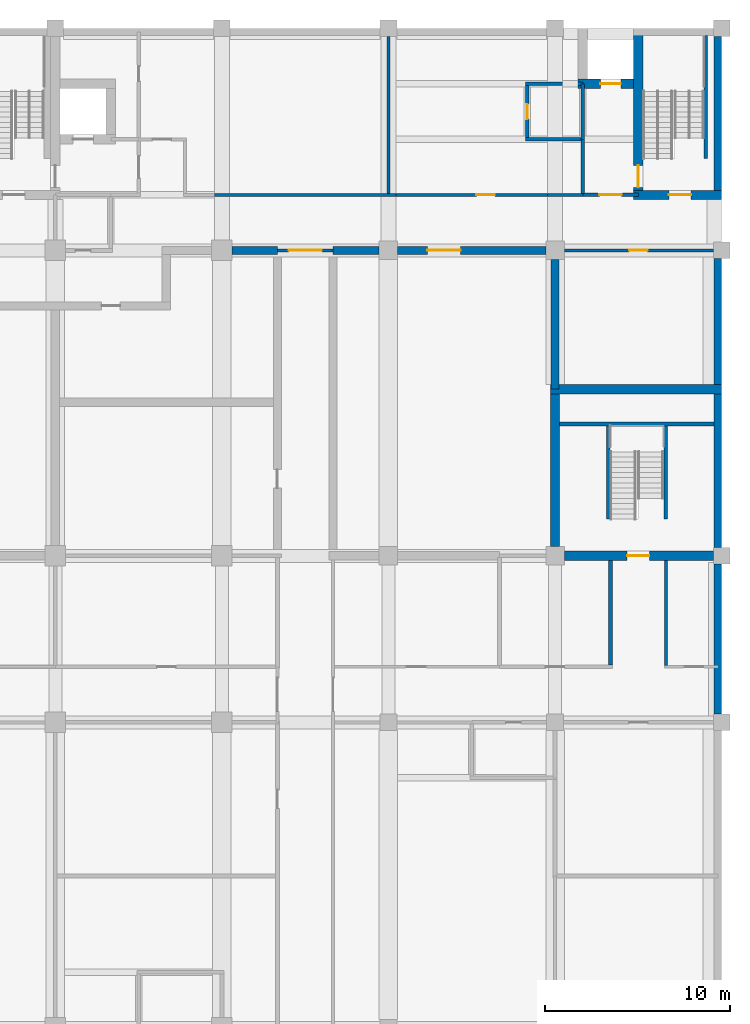
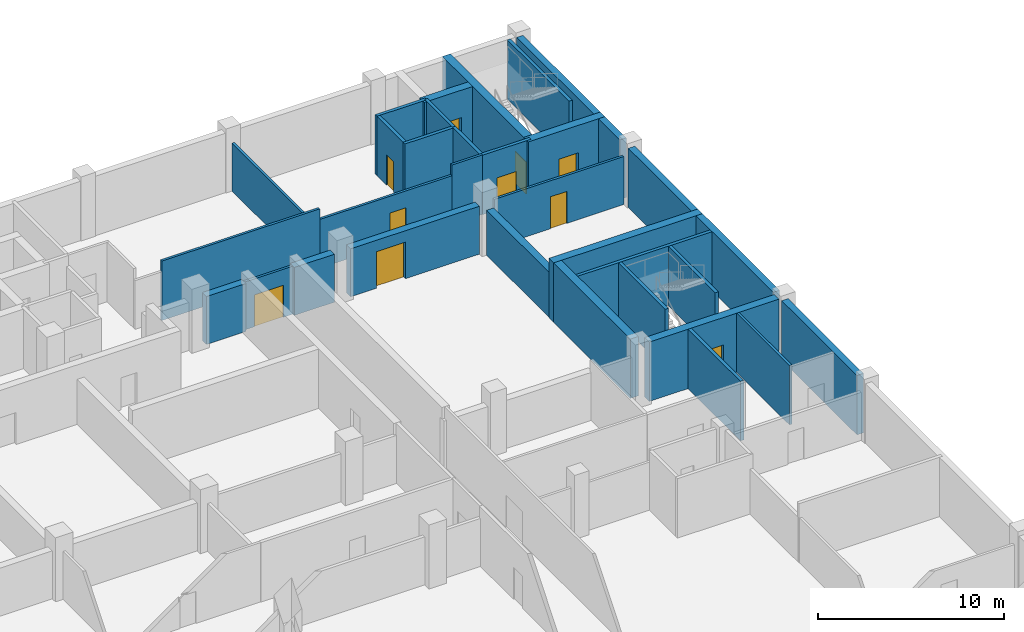
# One storey, part 11 of 16: 31 walls, 10 doors, 10 openings.
"""IFC4 building model written with IfcOpenShell, lengths in metres."""

from ifc_helpers import new_model, si_unit, direction, frame, frame_2d, origin, place, context, subcontext, project, spatial, rectangle, extrude, material, layer, layer_set, type_object, element, fill, save


model = new_model("IFC4")

# Units and contexts
model_context = context("Model", 3, precision=1e-05, world=origin(), true_north=direction((0.0, 1.0)))
body_context = subcontext(model_context, "Body", "Model", "MODEL_VIEW")
ifc_project = project(units=[si_unit("LENGTHUNIT", "METRE"), si_unit("AREAUNIT", "SQUARE_METRE"), si_unit("VOLUMEUNIT", "CUBIC_METRE"), si_unit("PLANEANGLEUNIT", "RADIAN"), si_unit("MASSUNIT", "GRAM", prefix="KILO")], contexts=[model_context])

# Site, building, storey
site_placement = place(None, origin())
site = spatial("IfcSite", under=ifc_project, at=site_placement, CompositionType="ELEMENT")
building_placement = place(site_placement, origin())
building = spatial("IfcBuilding", under=site, at=building_placement, Name="Aurelan Courthouse", CompositionType="ELEMENT")
storey_placement = place(building_placement, frame((0.0, 0.0, -4.199951171875)))
storey = spatial("IfcBuildingStorey", under=building, at=storey_placement, Name="B1", CompositionType="ELEMENT", Elevation=-4.199951171875)

# Walls
ifc_material_1 = material(Name="Reinforced concrete block", Category="concrete")
ifc_layer_1 = layer(ifc_material_1, 0.449951171875)
ifc_layer_set_1 = layer_set([ifc_layer_1], Name="Reinforced concrete block")
wall_type_1 = type_object("IfcWallType", Name="Archive fire wall 450 EI 60", PredefinedType="PARTITIONING", material=ifc_layer_set_1)
wall_1_placement = place(storey_placement, frame((63.550048828125, 54.0, 0.0), z_axis=(0.0, 0.0, 1.0), x_axis=(1.0, 0.0, 0.0)))
element("IfcWall", 1, at=wall_1_placement, inside=storey, type_object=wall_type_1, Name="Archive fire wall B1-070", PredefinedType="PARTITIONING", context=body_context, shape_type="SweptSolid", body=[
    extrude(rectangle(XDim=2.449951171875, YDim=0.449951171875, at=frame_2d((1.22509765625, 0.0))), origin(), (0.0, 0.0, 1.0), 3.14990234375),
])
wall_2_placement = place(storey_placement, frame((69.0, 54.0, 0.0), z_axis=(0.0, 0.0, 1.0), x_axis=(1.0, 0.0, 0.0)))
element("IfcWall", 2, at=wall_2_placement, inside=storey, type_object=wall_type_1, Name="Archive fire wall B1-072", PredefinedType="PARTITIONING", context=body_context, shape_type="SweptSolid", body=[
    extrude(rectangle(XDim=2.5, YDim=0.449951171875, at=frame_2d((1.25, 0.0))), origin(), (0.0, 0.0, 1.0), 3.14990234375),
])

# Wall, opening, door
wall_3_placement = place(storey_placement, frame((72.5, 54.0, 0.0), z_axis=(0.0, 0.0, 1.0), x_axis=(1.0, 0.0, 0.0)))
wall_3 = element("IfcWall", 3, at=wall_3_placement, inside=storey, type_object=wall_type_1, Name="Archive fire wall B1-073", PredefinedType="PARTITIONING", context=body_context, shape_type="SweptSolid", body=[
    extrude(rectangle(XDim=8.0, YDim=0.449951171875, at=frame_2d((4.0, 0.0))), origin(), (0.0, 0.0, 1.0), 3.14990234375),
])
opening_1_placement = place(wall_3_placement, frame((3.400146484375, 0.0, 0.0), z_axis=(0.0, 0.0, 1.0), x_axis=(-1.0, 0.0, 0.0)))
opening_1 = element("IfcOpeningElement", 4, at=opening_1_placement, cuts=wall_3, Name="Opening D-B1-032", PredefinedType="OPENING", context=body_context, shape_type="SweptSolid", body=[
    extrude(rectangle(XDim=1.800048828125, YDim=2.39990234375, at=frame_2d((0.89990234375, 1.199951171875))), frame((0.0, 0.23486328125, 0.0), z_axis=(0.0, -1.0, 0.0), x_axis=(1.0, 0.0, 0.0)), (0.0, 0.0, 1.0), 0.469970703125),
])
ifc_material_2 = material(Name="Steel", Category="steel")
door_type_1 = type_object("IfcDoorType", Name="Double door 1800 x 2400 FD60", OperationType="DOUBLE_DOOR_SINGLE_SWING", PredefinedType="DOOR", material=ifc_material_2)
door_1_placement = place(opening_1_placement, origin())
door_1 = element("IfcDoor", 5, at=door_1_placement, inside=storey, type_object=door_type_1, Name="Double door D-B1-032", OperationType="DOUBLE_DOOR_SINGLE_SWING", OverallHeight=2.39990234375, OverallWidth=1.800048828125, PredefinedType="DOOR", context=body_context, shape_type="SweptSolid", body=[
    extrude(rectangle(XDim=1.800048828125, YDim=2.39990234375, at=frame_2d((0.89990234375, 1.199951171875))), frame((0.0, 0.02490234375, 0.0), z_axis=(0.0, -1.0, 0.0), x_axis=(1.0, 0.0, 0.0)), (0.0, 0.0, 1.0), 0.050048828125),
])
fill(opening_1, door_1)

# Wall
wall_4_placement = place(storey_placement, frame((81.0, 46.5, 0.0), z_axis=(0.0, 0.0, 1.0), x_axis=(0.0, 1.0, 0.0)))
element("IfcWall", 6, at=wall_4_placement, inside=storey, type_object=wall_type_1, Name="Archive fire wall B1-151", PredefinedType="PARTITIONING", context=body_context, shape_type="SweptSolid", body=[
    extrude(rectangle(XDim=7.0, YDim=0.449951171875, at=frame_2d((3.5, 0.0))), origin(), (0.0, 0.0, 1.0), 2.949951171875),
])

# Wall, opening, door
ifc_material_3 = material(Name="Gypsum board on metal studs")
ifc_layer_2 = layer(ifc_material_3, 0.14990234375)
ifc_layer_set_2 = layer_set([ifc_layer_2], Name="Gypsum board on metal studs")
wall_type_2 = type_object("IfcWallType", Name="Corridor partition 150 EI 60", PredefinedType="PARTITIONING", material=ifc_layer_set_2)
wall_5_placement = place(storey_placement, frame((66.0, 54.0, 0.0), z_axis=(0.0, 0.0, 1.0), x_axis=(1.0, 0.0, 0.0)))
wall_5 = element("IfcWall", 7, at=wall_5_placement, inside=storey, type_object=wall_type_2, Name="Corridor partition B1-071", PredefinedType="PARTITIONING", context=body_context, shape_type="SweptSolid", body=[
    extrude(rectangle(XDim=3.0, YDim=0.14990234375, at=frame_2d((1.5, 0.0))), origin(), (0.0, 0.0, 1.0), 3.14990234375),
])
opening_2_placement = place(wall_5_placement, frame((2.400146484375, 0.0, 0.0), z_axis=(0.0, 0.0, 1.0), x_axis=(-1.0, 0.0, 0.0)))
opening_2 = element("IfcOpeningElement", 8, at=opening_2_placement, cuts=wall_5, Name="Opening D-B1-005", PredefinedType="OPENING", context=body_context, shape_type="SweptSolid", body=[
    extrude(rectangle(XDim=1.800048828125, YDim=2.10009765625, at=frame_2d((0.89990234375, 1.050048828125))), frame((0.0, 0.0849609375, 0.0), z_axis=(0.0, -1.0, 0.0), x_axis=(1.0, 0.0, 0.0)), (0.0, 0.0, 1.0), 0.169921875),
])
door_type_2 = type_object("IfcDoorType", Name="Double door 1800 x 2100 FD60", OperationType="DOUBLE_DOOR_SINGLE_SWING", PredefinedType="DOOR", material=ifc_material_2)
door_2_placement = place(opening_2_placement, origin())
door_2 = element("IfcDoor", 9, at=door_2_placement, inside=storey, type_object=door_type_2, Name="Double door D-B1-005", OperationType="DOUBLE_DOOR_SINGLE_SWING", OverallHeight=2.10009765625, OverallWidth=1.800048828125, PredefinedType="DOOR", context=body_context, shape_type="SweptSolid", body=[
    extrude(rectangle(XDim=1.800048828125, YDim=2.10009765625, at=frame_2d((0.89990234375, 1.050048828125))), frame((0.0, 0.02490234375, 0.0), z_axis=(0.0, -1.0, 0.0), x_axis=(1.0, 0.0, 0.0)), (0.0, 0.0, 1.0), 0.050048828125),
])
fill(opening_2, door_2)

wall_6_placement = place(storey_placement, frame((81.5, 54.0, 0.0), z_axis=(0.0, 0.0, 1.0), x_axis=(1.0, 0.0, 0.0)))
wall_6 = element("IfcWall", 10, at=wall_6_placement, inside=storey, type_object=wall_type_2, Name="Corridor partition B1-074", PredefinedType="PARTITIONING", context=body_context, shape_type="SweptSolid", body=[
    extrude(rectangle(XDim=8.050048828125, YDim=0.14990234375, at=frame_2d((4.02490234375, 0.0))), origin(), (0.0, 0.0, 1.0), 3.14990234375),
])
opening_3_placement = place(wall_6_placement, frame((4.5, 0.0, 0.0), z_axis=(0.0, 0.0, 1.0), x_axis=(-1.0, 0.0, 0.0)))
opening_3 = element("IfcOpeningElement", 11, at=opening_3_placement, cuts=wall_6, Name="Opening D-B1-033", PredefinedType="OPENING", context=body_context, shape_type="SweptSolid", body=[
    extrude(rectangle(XDim=1.0, YDim=2.10009765625, at=frame_2d((0.5, 1.050048828125))), frame((0.0, 0.0849609375, 0.0), z_axis=(0.0, -1.0, 0.0), x_axis=(1.0, 0.0, 0.0)), (0.0, 0.0, 1.0), 0.169921875),
])
door_type_3 = type_object("IfcDoorType", Name="Single door 1000 x 2100 FD60", OperationType="SINGLE_SWING_LEFT", PredefinedType="DOOR", material=ifc_material_2)
door_3_placement = place(opening_3_placement, origin())
door_3 = element("IfcDoor", 12, at=door_3_placement, inside=storey, type_object=door_type_3, Name="Single door D-B1-033", OperationType="SINGLE_SWING_LEFT", OverallHeight=2.10009765625, OverallWidth=1.0, PredefinedType="DOOR", context=body_context, shape_type="SweptSolid", body=[
    extrude(rectangle(XDim=1.0, YDim=2.10009765625, at=frame_2d((0.5, 1.050048828125))), frame((0.0, 0.02490234375, 0.0), z_axis=(0.0, -1.0, 0.0), x_axis=(1.0, 0.0, 0.0)), (0.0, 0.0, 1.0), 0.050048828125),
])
fill(opening_3, door_3)

# Walls
wall_7_placement = place(storey_placement, frame((87.0, 31.574951171875, 0.0), z_axis=(0.0, 0.0, 1.0), x_axis=(0.0, 1.0, 0.0)))
element("IfcWall", 13, at=wall_7_placement, inside=storey, type_object=wall_type_2, Name="Corridor partition B1-155", PredefinedType="PARTITIONING", context=body_context, shape_type="SweptSolid", body=[
    extrude(rectangle(XDim=5.675048828125, YDim=0.14990234375, at=frame_2d((2.83740234375, 0.0))), origin(), (0.0, 0.0, 1.0), 3.89990234375),
])
wall_8_placement = place(storey_placement, frame((62.60009765625, 57.0, 0.0), z_axis=(0.0, 0.0, 1.0), x_axis=(1.0, 0.0, 0.0)))
element("IfcWall", 14, at=wall_8_placement, inside=storey, type_object=wall_type_2, Name="Corridor partition B1-082B", PredefinedType="PARTITIONING", context=body_context, shape_type="SweptSolid", body=[
    extrude(rectangle(XDim=9.7998046875, YDim=0.14990234375, at=frame_2d((4.89990234375, 0.0))), origin(), (0.0, 0.0, 1.0), 3.89990234375),
])

# Wall, opening, door
wall_9_placement = place(storey_placement, frame((72.39990234375, 57.0, 0.0), z_axis=(0.0, 0.0, 1.0), x_axis=(1.0, 0.0, 0.0)))
wall_9 = element("IfcWall", 15, at=wall_9_placement, inside=storey, type_object=wall_type_2, Name="Corridor partition B1-082C", PredefinedType="PARTITIONING", context=body_context, shape_type="SweptSolid", body=[
    extrude(rectangle(XDim=8.2001953125, YDim=0.14990234375, at=frame_2d((4.10009765625, 0.0))), origin(), (0.0, 0.0, 1.0), 3.199951171875),
])
opening_4_placement = place(wall_9_placement, frame((4.35009765625, 0.0, 0.0)))
opening_4 = element("IfcOpeningElement", 16, at=opening_4_placement, cuts=wall_9, Name="Opening D-B1-030", PredefinedType="OPENING", context=body_context, shape_type="SweptSolid", body=[
    extrude(rectangle(XDim=1.0, YDim=2.10009765625, at=frame_2d((0.5, 1.050048828125))), frame((0.0, 0.0849609375, 0.0), z_axis=(0.0, -1.0, 0.0), x_axis=(1.0, 0.0, 0.0)), (0.0, 0.0, 1.0), 0.169921875),
])
door_4_placement = place(opening_4_placement, origin())
door_4 = element("IfcDoor", 17, at=door_4_placement, inside=storey, type_object=door_type_3, Name="Single door D-B1-030", OperationType="SINGLE_SWING_LEFT", OverallHeight=2.10009765625, OverallWidth=1.0, PredefinedType="DOOR", context=body_context, shape_type="SweptSolid", body=[
    extrude(rectangle(XDim=1.0, YDim=2.10009765625, at=frame_2d((0.5, 1.050048828125))), frame((0.0, 0.02490234375, 0.0), z_axis=(0.0, -1.0, 0.0), x_axis=(1.0, 0.0, 0.0)), (0.0, 0.0, 1.0), 0.050048828125),
])
fill(opening_4, door_4)

# Wall
wall_10_placement = place(storey_placement, frame((80.60009765625, 57.0, 0.0), z_axis=(0.0, 0.0, 1.0), x_axis=(1.0, 0.0, 0.0)))
element("IfcWall", 18, at=wall_10_placement, inside=storey, type_object=wall_type_2, Name="Corridor partition B1-082D", PredefinedType="PARTITIONING", context=body_context, shape_type="SweptSolid", body=[
    extrude(rectangle(XDim=1.89990234375, YDim=0.14990234375, at=frame_2d((0.949951171875, 0.0))), origin(), (0.0, 0.0, 1.0), 3.89990234375),
])

# Wall, opening, door
ifc_material_4 = material(Name="Masonry block", Category="masonry")
ifc_layer_3 = layer(ifc_material_4, 0.199951171875)
ifc_layer_set_3 = layer_set([ifc_layer_3], Name="Masonry block")
wall_type_3 = type_object("IfcWallType", Name="Lift lobby wall 200 EI 60", PredefinedType="PARTITIONING", material=ifc_layer_set_3)
wall_11_placement = place(storey_placement, frame((82.5, 57.0, 0.0), z_axis=(0.0, 0.0, 1.0), x_axis=(1.0, 0.0, 0.0)))
wall_11 = element("IfcWall", 19, at=wall_11_placement, inside=storey, type_object=wall_type_3, Name="Lift lobby wall B1-083", PredefinedType="PARTITIONING", context=body_context, shape_type="SweptSolid", body=[
    extrude(rectangle(XDim=3.0, YDim=0.199951171875, at=frame_2d((1.5, 0.0))), origin(), (0.0, 0.0, 1.0), 3.89990234375),
])
opening_5_placement = place(wall_11_placement, frame((2.099853515625, 0.0, 0.0), z_axis=(0.0, 0.0, 1.0), x_axis=(-1.0, 0.0, 0.0)))
opening_5 = element("IfcOpeningElement", 20, at=opening_5_placement, cuts=wall_11, Name="Opening D-B1-078", PredefinedType="OPENING", context=body_context, shape_type="SweptSolid", body=[
    extrude(rectangle(XDim=1.199951171875, YDim=2.10009765625, at=frame_2d((0.60009765625, 1.050048828125))), frame((0.0, 0.10986328125, 0.0), z_axis=(0.0, -1.0, 0.0), x_axis=(1.0, 0.0, 0.0)), (0.0, 0.0, 1.0), 0.219970703125),
])
door_type_4 = type_object("IfcDoorType", Name="Single door 1200 x 2100 FD60", OperationType="SINGLE_SWING_LEFT", PredefinedType="DOOR", material=ifc_material_2)
door_5_placement = place(opening_5_placement, origin())
door_5 = element("IfcDoor", 21, at=door_5_placement, inside=storey, type_object=door_type_4, Name="Single door D-B1-078", OperationType="SINGLE_SWING_LEFT", OverallHeight=2.10009765625, OverallWidth=1.199951171875, PredefinedType="DOOR", context=body_context, shape_type="SweptSolid", body=[
    extrude(rectangle(XDim=1.199951171875, YDim=2.10009765625, at=frame_2d((0.60009765625, 1.050048828125))), frame((0.0, 0.02490234375, 0.0), z_axis=(0.0, -1.0, 0.0), x_axis=(1.0, 0.0, 0.0)), (0.0, 0.0, 1.0), 0.050048828125),
])
fill(opening_5, door_5)

# Walls
wall_12_placement = place(storey_placement, frame((82.5, 57.074951171875, 0.0), z_axis=(0.0, 0.0, 1.0), x_axis=(0.0, 1.0, 0.0)))
element("IfcWall", 22, at=wall_12_placement, inside=storey, type_object=wall_type_3, Name="Lift lobby wall B1-152", PredefinedType="PARTITIONING", context=body_context, shape_type="SweptSolid", body=[
    extrude(rectangle(XDim=2.925048828125, YDim=0.199951171875, at=frame_2d((1.46240234375, 0.0))), origin(), (0.0, 0.0, 1.0), 3.89990234375),
])
ifc_layer_4 = layer(ifc_material_4, 0.199951171875)
ifc_layer_set_4 = layer_set([ifc_layer_4], Name="Masonry block")
wall_type_4 = type_object("IfcWallType", Name="Plant room wall 200 EI 120", PredefinedType="PARTITIONING", material=ifc_layer_set_4)
wall_13_placement = place(storey_placement, frame((84.0, 31.60009765625, 0.0), z_axis=(0.0, 0.0, 1.0), x_axis=(0.0, 1.0, 0.0)))
element("IfcWall", 23, at=wall_13_placement, inside=storey, type_object=wall_type_4, Name="Plant room wall B1-154", PredefinedType="PARTITIONING", context=body_context, shape_type="SweptSolid", body=[
    extrude(rectangle(XDim=5.64990234375, YDim=0.199951171875, at=frame_2d((2.824951171875, 0.0))), origin(), (0.0, 0.0, 1.0), 3.89990234375),
])
ifc_material_5 = material(Name="Concrete C50", Category="concrete")
ifc_layer_5 = layer(ifc_material_5, 0.39990234375)
ifc_layer_set_5 = layer_set([ifc_layer_5], Name="Concrete C50")
wall_type_5 = type_object("IfcWallType", Name="RC retaining wall 400", PredefinedType="SOLIDWALL", material=ifc_layer_set_5)
wall_14_placement = place(storey_placement, frame((89.800048828125, 28.949951171875, 0.0), z_axis=(0.0, 0.0, 1.0), x_axis=(0.0, 1.0, 0.0)))
element("IfcWall", 24, at=wall_14_placement, inside=storey, type_object=wall_type_5, Name="Retaining wall SW-B1-027", PredefinedType="SOLIDWALL", context=body_context, shape_type="SweptSolid", body=[
    extrude(rectangle(XDim=8.10009765625, YDim=0.39990234375, at=frame_2d((4.050048828125, 0.0))), origin(), (0.0, 0.0, 1.0), 3.89990234375),
])
wall_15_placement = place(storey_placement, frame((89.800048828125, 37.949951171875, 0.0), z_axis=(0.0, 0.0, 1.0), x_axis=(0.0, 1.0, 0.0)))
element("IfcWall", 25, at=wall_15_placement, inside=storey, type_object=wall_type_5, Name="Retaining wall SW-B1-030", PredefinedType="SOLIDWALL", context=body_context, shape_type="SweptSolid", body=[
    extrude(rectangle(XDim=15.60009765625, YDim=0.39990234375, at=frame_2d((7.800048828125, 0.0))), origin(), (0.0, 0.0, 1.0), 3.89990234375),
])
wall_16_placement = place(storey_placement, frame((89.800048828125, 54.449951171875, 0.0), z_axis=(0.0, 0.0, 1.0), x_axis=(0.0, 1.0, 0.0)))
element("IfcWall", 26, at=wall_16_placement, inside=storey, type_object=wall_type_5, Name="Retaining wall SW-B1-034", PredefinedType="SOLIDWALL", context=body_context, shape_type="SweptSolid", body=[
    extrude(rectangle(XDim=11.10009765625, YDim=0.39990234375, at=frame_2d((5.550048828125, 0.0))), origin(), (0.0, 0.0, 1.0), 3.89990234375),
])

# Wall, opening, door
ifc_layer_6 = layer(ifc_material_5, 0.5)
ifc_layer_set_6 = layer_set([ifc_layer_6], Name="Concrete C50")
wall_type_6 = type_object("IfcWallType", Name="RC shear wall 500", PredefinedType="SHEAR", material=ifc_layer_set_6)
wall_17_placement = place(storey_placement, frame((81.5, 37.5, 0.0), z_axis=(0.0, 0.0, 1.0), x_axis=(1.0, 0.0, 0.0)))
wall_17 = element("IfcWall", 27, at=wall_17_placement, inside=storey, type_object=wall_type_6, Name="Core wall SW-B1-028", PredefinedType="SHEAR", context=body_context, shape_type="SweptSolid", body=[
    extrude(rectangle(XDim=8.050048828125, YDim=0.5, at=frame_2d((4.02490234375, 0.0))), origin(), (0.0, 0.0, 1.0), 3.89990234375),
])
opening_6_placement = place(wall_17_placement, frame((3.39990234375, 0.0, 0.0)))
opening_6 = element("IfcOpeningElement", 28, at=opening_6_placement, cuts=wall_17, Name="Opening D-B1-053", PredefinedType="OPENING", context=body_context, shape_type="SweptSolid", body=[
    extrude(rectangle(XDim=1.199951171875, YDim=2.10009765625, at=frame_2d((0.60009765625, 1.050048828125))), frame((0.0, 0.260009765625, 0.0), z_axis=(0.0, -1.0, 0.0), x_axis=(1.0, 0.0, 0.0)), (0.0, 0.0, 1.0), 0.52001953125),
])
door_type_5 = type_object("IfcDoorType", Name="Single door 1200 x 2100 FD90", OperationType="SINGLE_SWING_LEFT", PredefinedType="DOOR", material=ifc_material_2)
door_6_placement = place(opening_6_placement, origin())
door_6 = element("IfcDoor", 29, at=door_6_placement, inside=storey, type_object=door_type_5, Name="Single door D-B1-053", OperationType="SINGLE_SWING_RIGHT", OverallHeight=2.10009765625, OverallWidth=1.199951171875, PredefinedType="DOOR", context=body_context, shape_type="SweptSolid", body=[
    extrude(rectangle(XDim=1.199951171875, YDim=2.10009765625, at=frame_2d((0.60009765625, 1.050048828125))), frame((0.0, 0.02490234375, 0.0), z_axis=(0.0, -1.0, 0.0), x_axis=(1.0, 0.0, 0.0)), (0.0, 0.0, 1.0), 0.050048828125),
])
fill(opening_6, door_6)

# Walls
wall_18_placement = place(storey_placement, frame((81.0, 38.0, 0.0), z_axis=(0.0, 0.0, 1.0), x_axis=(0.0, 1.0, 0.0)))
element("IfcWall", 30, at=wall_18_placement, inside=storey, type_object=wall_type_6, Name="Core wall SW-B1-031", PredefinedType="SHEAR", context=body_context, shape_type="SweptSolid", body=[
    extrude(rectangle(XDim=8.25, YDim=0.5, at=frame_2d((4.125, 0.0))), origin(), (0.0, 0.0, 1.0), 3.89990234375),
])
wall_19_placement = place(storey_placement, frame((80.75, 46.5, 0.0), z_axis=(0.0, 0.0, 1.0), x_axis=(1.0, 0.0, 0.0)))
element("IfcWall", 31, at=wall_19_placement, inside=storey, type_object=wall_type_6, Name="Core wall SW-B1-032", PredefinedType="SHEAR", context=body_context, shape_type="SweptSolid", body=[
    extrude(rectangle(XDim=9.25, YDim=0.5, at=frame_2d((4.625, 0.0))), origin(), (0.0, 0.0, 1.0), 3.89990234375),
])

# Wall, opening, door
wall_20_placement = place(storey_placement, frame((85.25, 57.0, 0.0), z_axis=(0.0, 0.0, 1.0), x_axis=(1.0, 0.0, 0.0)))
wall_20 = element("IfcWall", 32, at=wall_20_placement, inside=storey, type_object=wall_type_6, Name="Core wall SW-B1-037", PredefinedType="SHEAR", context=body_context, shape_type="SweptSolid", body=[
    extrude(rectangle(XDim=4.75, YDim=0.5, at=frame_2d((2.375, 0.0))), origin(), (0.0, 0.0, 1.0), 3.89990234375),
])
opening_7_placement = place(wall_20_placement, frame((1.89990234375, 0.0, 0.0)))
opening_7 = element("IfcOpeningElement", 33, at=opening_7_placement, cuts=wall_20, Name="Opening D-B1-071", PredefinedType="OPENING", context=body_context, shape_type="SweptSolid", body=[
    extrude(rectangle(XDim=1.199951171875, YDim=2.10009765625, at=frame_2d((0.60009765625, 1.050048828125))), frame((0.0, 0.260009765625, 0.0), z_axis=(0.0, -1.0, 0.0), x_axis=(1.0, 0.0, 0.0)), (0.0, 0.0, 1.0), 0.52001953125),
])
door_7_placement = place(opening_7_placement, origin())
door_7 = element("IfcDoor", 34, at=door_7_placement, inside=storey, type_object=door_type_5, Name="Single door D-B1-071", OperationType="SINGLE_SWING_RIGHT", OverallHeight=2.10009765625, OverallWidth=1.199951171875, PredefinedType="DOOR", context=body_context, shape_type="SweptSolid", body=[
    extrude(rectangle(XDim=1.199951171875, YDim=2.10009765625, at=frame_2d((0.60009765625, 1.050048828125))), frame((0.0, 0.02490234375, 0.0), z_axis=(0.0, -1.0, 0.0), x_axis=(1.0, 0.0, 0.0)), (0.0, 0.0, 1.0), 0.050048828125),
])
fill(opening_7, door_7)

wall_21_placement = place(storey_placement, frame((85.5, 57.25, 0.0), z_axis=(0.0, 0.0, 1.0), x_axis=(0.0, 1.0, 0.0)))
wall_21 = element("IfcWall", 35, at=wall_21_placement, inside=storey, type_object=wall_type_6, Name="Core wall SW-B1-042", PredefinedType="SHEAR", context=body_context, shape_type="SweptSolid", body=[
    extrude(rectangle(XDim=8.75, YDim=0.5, at=frame_2d((4.375, 0.0))), origin(), (0.0, 0.0, 1.0), 3.89990234375),
])
opening_8_placement = place(wall_21_placement, frame((1.349853515625, 0.0, 0.0), z_axis=(0.0, 0.0, 1.0), x_axis=(-1.0, 0.0, 0.0)))
opening_8 = element("IfcOpeningElement", 36, at=opening_8_placement, cuts=wall_21, Name="Opening D-B1-079", PredefinedType="OPENING", context=body_context, shape_type="SweptSolid", body=[
    extrude(rectangle(XDim=1.199951171875, YDim=2.10009765625, at=frame_2d((0.60009765625, 1.050048828125))), frame((0.0, 0.260009765625, 0.0), z_axis=(0.0, -1.0, 0.0), x_axis=(1.0, 0.0, 0.0)), (0.0, 0.0, 1.0), 0.52001953125),
])
door_8_placement = place(opening_8_placement, origin())
door_8 = element("IfcDoor", 37, at=door_8_placement, inside=storey, type_object=door_type_5, Name="Single door D-B1-079", OperationType="SINGLE_SWING_RIGHT", OverallHeight=2.10009765625, OverallWidth=1.199951171875, PredefinedType="DOOR", context=body_context, shape_type="SweptSolid", body=[
    extrude(rectangle(XDim=1.199951171875, YDim=2.10009765625, at=frame_2d((0.60009765625, 1.050048828125))), frame((0.0, 0.02490234375, 0.0), z_axis=(0.0, -1.0, 0.0), x_axis=(1.0, 0.0, 0.0)), (0.0, 0.0, 1.0), 0.050048828125),
])
fill(opening_8, door_8)

wall_22_placement = place(storey_placement, frame((82.25, 63.0, 0.0), z_axis=(0.0, 0.0, 1.0), x_axis=(1.0, 0.0, 0.0)))
wall_22 = element("IfcWall", 38, at=wall_22_placement, inside=storey, type_object=wall_type_6, Name="Core wall SW-B1-046", PredefinedType="SHEAR", context=body_context, shape_type="SweptSolid", body=[
    extrude(rectangle(XDim=3.0, YDim=0.5, at=frame_2d((1.5, 0.0))), origin(), (0.0, 0.0, 1.0), 3.89990234375),
])
opening_9_placement = place(wall_22_placement, frame((1.199951171875, 0.0, 0.0)))
opening_9 = element("IfcOpeningElement", 39, at=opening_9_placement, cuts=wall_22, Name="Opening LD-V3-F1-B1", PredefinedType="OPENING", context=body_context, shape_type="SweptSolid", body=[
    extrude(rectangle(XDim=1.10009765625, YDim=2.10009765625, at=frame_2d((0.550048828125, 1.050048828125))), frame((0.0, 0.260009765625, 0.0), z_axis=(0.0, -1.0, 0.0), x_axis=(1.0, 0.0, 0.0)), (0.0, 0.0, 1.0), 0.52001953125),
])
door_type_6 = type_object("IfcDoorType", Name="Lift landing door 1100 x 2100 FD90", OperationType="SLIDING_TO_LEFT", PredefinedType="DOOR", material=ifc_material_2)
door_9_placement = place(opening_9_placement, origin())
door_9 = element("IfcDoor", 40, at=door_9_placement, inside=storey, type_object=door_type_6, Name="Lift landing door LD-V3-F1-B1", OperationType="SLIDING_TO_LEFT", OverallHeight=2.10009765625, OverallWidth=1.10009765625, PredefinedType="DOOR", context=body_context, shape_type="SweptSolid", body=[
    extrude(rectangle(XDim=1.10009765625, YDim=2.10009765625, at=frame_2d((0.550048828125, 1.050048828125))), frame((0.0, 0.02490234375, 0.0), z_axis=(0.0, -1.0, 0.0), x_axis=(1.0, 0.0, 0.0)), (0.0, 0.0, 1.0), 0.050048828125),
])
fill(opening_9, door_9)

# Walls
ifc_material_6 = material(Name="Concrete C30", Category="concrete")
ifc_layer_7 = layer(ifc_material_6, 0.199951171875)
ifc_layer_set_7 = layer_set([ifc_layer_7], Name="Concrete C30")
wall_type_7 = type_object("IfcWallType", Name="Shaft wall 200 EI 120 load-bearing", PredefinedType="SHEAR", material=ifc_layer_set_7)
wall_23_placement = place(storey_placement, frame((79.39990234375, 60.0, 0.0), z_axis=(0.0, 0.0, 1.0), x_axis=(1.0, 0.0, 0.0)))
element("IfcWall", 41, at=wall_23_placement, inside=storey, type_object=wall_type_7, Name="Shaft wall B1-089", PredefinedType="SHEAR", context=body_context, shape_type="SweptSolid", body=[
    extrude(rectangle(XDim=3.2001953125, YDim=0.199951171875, at=frame_2d((1.60009765625, 0.0))), origin(), (0.0, 0.0, 1.0), 3.89990234375),
])
wall_24_placement = place(storey_placement, frame((79.39990234375, 63.0, 0.0), z_axis=(0.0, 0.0, 1.0), x_axis=(1.0, 0.0, 0.0)))
element("IfcWall", 42, at=wall_24_placement, inside=storey, type_object=wall_type_7, Name="Shaft wall B1-092", PredefinedType="SHEAR", context=body_context, shape_type="SweptSolid", body=[
    extrude(rectangle(XDim=3.10009765625, YDim=0.199951171875, at=frame_2d((1.550048828125, 0.0))), origin(), (0.0, 0.0, 1.0), 3.89990234375),
])

# Wall, opening, door
wall_25_placement = place(storey_placement, frame((79.5, 60.10009765625, 0.0), z_axis=(0.0, 0.0, 1.0), x_axis=(0.0, 1.0, 0.0)))
wall_25 = element("IfcWall", 43, at=wall_25_placement, inside=storey, type_object=wall_type_7, Name="Shaft wall B1-147", PredefinedType="SHEAR", context=body_context, shape_type="SweptSolid", body=[
    extrude(rectangle(XDim=2.7998046875, YDim=0.199951171875, at=frame_2d((1.39990234375, 0.0))), origin(), (0.0, 0.0, 1.0), 3.89990234375),
])
opening_10_placement = place(wall_25_placement, frame((1.0, 0.0, 0.0)))
opening_10 = element("IfcOpeningElement", 44, at=opening_10_placement, cuts=wall_25, Name="Opening D-B1-062", PredefinedType="OPENING", context=body_context, shape_type="SweptSolid", body=[
    extrude(rectangle(XDim=0.800048828125, YDim=2.0, at=frame_2d((0.39990234375, 1.0))), frame((0.0, 0.10986328125, 0.0), z_axis=(0.0, -1.0, 0.0), x_axis=(1.0, 0.0, 0.0)), (0.0, 0.0, 1.0), 0.219970703125),
])
door_type_7 = type_object("IfcDoorType", Name="Single door 800 x 2000 FD90", OperationType="SINGLE_SWING_LEFT", PredefinedType="DOOR", material=ifc_material_2)
door_10_placement = place(opening_10_placement, origin())
door_10 = element("IfcDoor", 45, at=door_10_placement, inside=storey, type_object=door_type_7, Name="Single door D-B1-062", OperationType="SINGLE_SWING_RIGHT", OverallHeight=2.0, OverallWidth=0.800048828125, PredefinedType="DOOR", context=body_context, shape_type="SweptSolid", body=[
    extrude(rectangle(XDim=0.800048828125, YDim=2.0, at=frame_2d((0.39990234375, 1.0))), frame((0.0, 0.02490234375, 0.0), z_axis=(0.0, -1.0, 0.0), x_axis=(1.0, 0.0, 0.0)), (0.0, 0.0, 1.0), 0.050048828125),
])
fill(opening_10, door_10)

# Walls
wall_26_placement = place(storey_placement, frame((82.5, 60.0, 0.0), z_axis=(0.0, 0.0, 1.0), x_axis=(0.0, 1.0, 0.0)))
element("IfcWall", 46, at=wall_26_placement, inside=storey, type_object=wall_type_7, Name="Shaft wall B1-153", PredefinedType="SHEAR", context=body_context, shape_type="SweptSolid", body=[
    extrude(rectangle(XDim=3.0, YDim=0.199951171875, at=frame_2d((1.5, 0.0))), origin(), (0.0, 0.0, 1.0), 3.89990234375),
])
ifc_layer_8 = layer(ifc_material_6, 0.199951171875)
ifc_layer_set_8 = layer_set([ifc_layer_8], Name="Concrete C30")
wall_type_8 = type_object("IfcWallType", Name="Stair well wall 200 EI 120 load-bearing", PredefinedType="SHEAR", material=ifc_layer_set_8)
for number, where, z_axis, x_axis, name in (
    (47, (83.875, 39.47998046875, 0.0), (0.0, 0.0, 1.0), (0.0, 1.0, 0.0), "Stair well wall BS-4-B1 A"),
    (48, (86.97509765625, 39.47998046875, 0.0), (0.0, 0.0, 1.0), (0.0, 1.0, 0.0), "Stair well wall BS-4-B1 B"),
):
    element("IfcWall", number, at=place(storey_placement, frame(where, z_axis=z_axis, x_axis=x_axis)), inside=storey, type_object=wall_type_8, Name=name, PredefinedType="SHEAR", context=body_context, shape_type="SweptSolid", body=[
        extrude(rectangle(XDim=5.0400390625, YDim=0.199951171875, at=frame_2d((2.52001953125, 0.0))), origin(), (0.0, 0.0, 1.0), 3.89990234375),
    ])
wall_27_placement = place(storey_placement, frame((81.25, 44.6201171875, 0.0), z_axis=(0.0, 0.0, 1.0), x_axis=(1.0, 0.0, 0.0)))
element("IfcWall", 49, at=wall_27_placement, inside=storey, type_object=wall_type_8, Name="Stair well wall BS-4-B1 C", PredefinedType="SHEAR", context=body_context, shape_type="SweptSolid", body=[
    extrude(rectangle(XDim=8.35009765625, YDim=0.199951171875, at=frame_2d((4.175048828125, 0.0))), origin(), (0.0, 0.0, 1.0), 3.89990234375),
])
wall_28_placement = place(storey_placement, frame((89.14990234375, 58.9599609375, 0.0), z_axis=(0.0, 0.0, 1.0), x_axis=(0.0, 1.0, 0.0)))
element("IfcWall", 50, at=wall_28_placement, inside=storey, type_object=wall_type_8, Name="Stair well wall ST-3B-B1 B", PredefinedType="SHEAR", context=body_context, shape_type="SweptSolid", body=[
    extrude(rectangle(XDim=6.64013671875, YDim=0.199951171875, at=frame_2d((3.320068359375, 0.0))), origin(), (0.0, 0.0, 1.0), 3.89990234375),
])
ifc_layer_9 = layer(ifc_material_4, 0.14990234375)
ifc_layer_set_9 = layer_set([ifc_layer_9], Name="Masonry block")
wall_type_9 = type_object("IfcWallType", Name="Store wall 150 EI 60", PredefinedType="PARTITIONING", material=ifc_layer_set_9)
wall_29_placement = place(storey_placement, frame((72.0, 57.074951171875, 0.0), z_axis=(0.0, 0.0, 1.0), x_axis=(0.0, 1.0, 0.0)))
element("IfcWall", 51, at=wall_29_placement, inside=storey, type_object=wall_type_9, Name="Store wall B1-143", PredefinedType="PARTITIONING", context=body_context, shape_type="SweptSolid", body=[
    extrude(rectangle(XDim=8.47509765625, YDim=0.14990234375, at=frame_2d((4.237548828125, 0.0))), origin(), (0.0, 0.0, 1.0), 3.14990234375),
])

save(model, "model.ifc")
